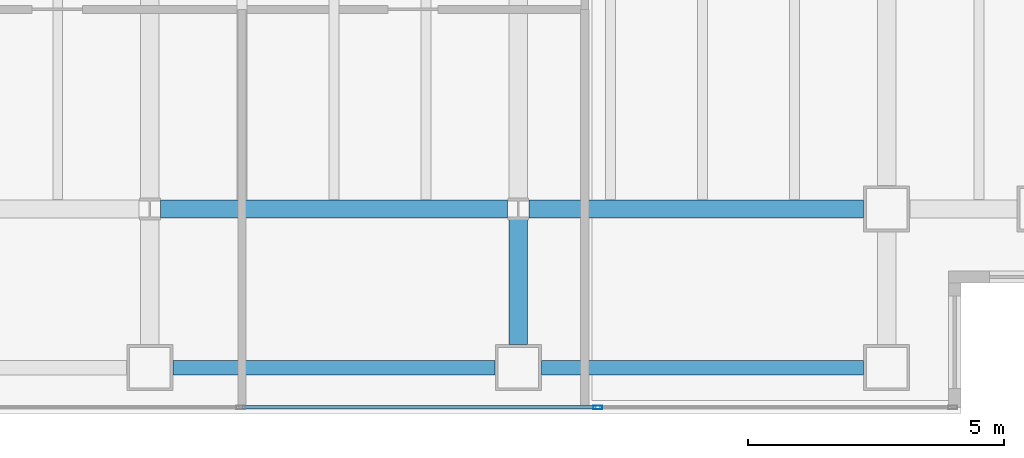
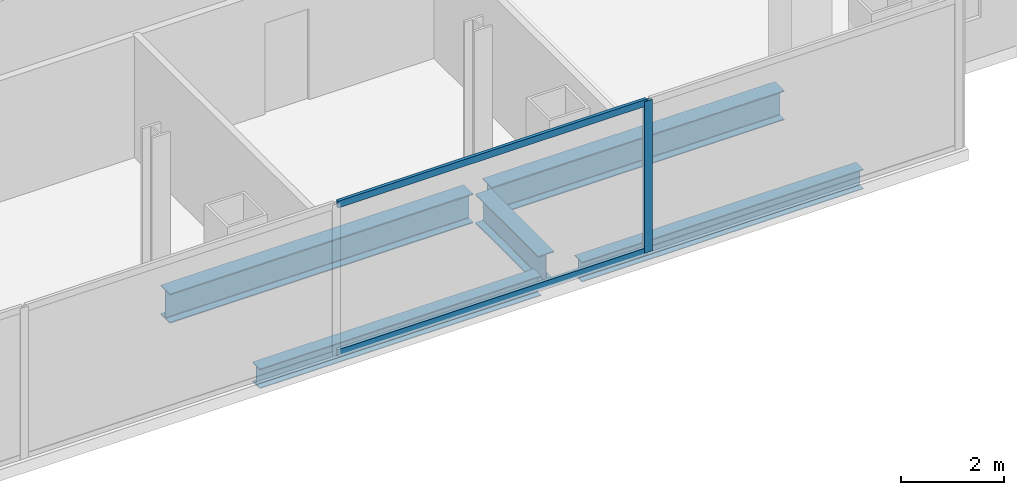
# One storey, part 9 of 23: 5 beams, 3 members, 1 element without a shape of its own.
"""IFC4 building model written with IfcOpenShell, lengths in metres."""

from ifc_helpers import new_model, si_unit, direction, frame, origin, origin_2d, place, context, subcontext, project, spatial, hollow_rectangle, i_section, extrude, material, material_profile, profile_set, type_object, element, aggregate, save


model = new_model("IFC4")

# Units and contexts
model_context = context("Model", 3, precision=1e-05, world=origin(), true_north=direction((0.0, 1.0)))
body_context = subcontext(model_context, "Body", "Model", "MODEL_VIEW")
ifc_project = project(units=[si_unit("LENGTHUNIT", "METRE"), si_unit("AREAUNIT", "SQUARE_METRE"), si_unit("VOLUMEUNIT", "CUBIC_METRE"), si_unit("PLANEANGLEUNIT", "RADIAN"), si_unit("MASSUNIT", "GRAM", prefix="KILO")], contexts=[model_context])

# Site, building, storey
site_placement = place(None, origin())
site = spatial("IfcSite", under=ifc_project, at=site_placement, CompositionType="ELEMENT")
building_placement = place(site_placement, origin())
building = spatial("IfcBuilding", under=site, at=building_placement, Name="Cobrela Telecom Tower", CompositionType="ELEMENT")
storey_placement = place(building_placement, frame((0.0, 0.0, 129.14990234375)))
storey = spatial("IfcBuildingStorey", under=building, at=storey_placement, Name="L32", CompositionType="ELEMENT", Elevation=129.14990234375)

# Beams
ifc_material_1 = material(Name="Steel ASTM A992 Grade 50", Category="steel")
ifc_material_profile_1 = material_profile(ifc_material_1, i_section(OverallWidth=0.35595703125, OverallDepth=0.696044921875, WebThickness=0.015380859375, FlangeThickness=0.024658203125, FilletRadius=0.01806640625, at=origin_2d()), Name="W27X146")
ifc_profile_set_1 = profile_set([ifc_material_profile_1], Name="Steel ASTM A992 Grade 50")
beam_type_1 = type_object("IfcBeamType", Name="BM-GIRD-05", PredefinedType="USERDEFINED", material=ifc_profile_set_1)
beam_1_placement = place(storey_placement, frame((29.009521484375, 7.199951171875, -0.617919921875), z_axis=(1.0, 0.0, 0.0), x_axis=(0.0, 1.0, 0.0)))
element("IfcBeam", 1, at=beam_1_placement, inside=storey, type_object=beam_type_1, Name="L32 Primary Girder X10", ObjectType="GIRDER", PredefinedType="USERDEFINED", context=body_context, shape_type="SweptSolid", body=[
    extrude(i_section(OverallWidth=0.35595703125, OverallDepth=0.696044921875, WebThickness=0.015380859375, FlangeThickness=0.024658203125, FilletRadius=0.01806640625, at=origin_2d()), origin(), (0.0, 0.0, 1.0), 6.781005859375),
])
beam_2_placement = place(storey_placement, frame((36.20947265625, 7.199951171875, -0.617919921875), z_axis=(1.0, 0.0, 0.0), x_axis=(0.0, 1.0, 0.0)))
element("IfcBeam", 2, at=beam_2_placement, inside=storey, type_object=beam_type_1, Name="L32 Primary Girder X11", ObjectType="GIRDER", PredefinedType="USERDEFINED", context=body_context, shape_type="SweptSolid", body=[
    extrude(i_section(OverallWidth=0.35595703125, OverallDepth=0.696044921875, WebThickness=0.015380859375, FlangeThickness=0.024658203125, FilletRadius=0.01806640625, at=origin_2d()), origin(), (0.0, 0.0, 1.0), 6.53564453125),
])
beam_3_placement = place(storey_placement, frame((36.0, 4.554931640625, -0.617919921875), z_axis=(0.0, 1.0, 0.0), x_axis=(-1.0, 0.0, 0.0)))
element("IfcBeam", 3, at=beam_3_placement, inside=storey, type_object=beam_type_1, Name="L32 Primary Girder Y49", ObjectType="GIRDER", PredefinedType="USERDEFINED", context=body_context, shape_type="SweptSolid", body=[
    extrude(i_section(OverallWidth=0.35595703125, OverallDepth=0.696044921875, WebThickness=0.015380859375, FlangeThickness=0.024658203125, FilletRadius=0.01806640625, at=origin_2d()), origin(), (0.0, 0.0, 1.0), 2.435546875),
])
ifc_material_profile_2 = material_profile(ifc_material_1, i_section(OverallWidth=0.281982421875, OverallDepth=0.467041015625, WebThickness=0.01220703125, FlangeThickness=0.01953125, FilletRadius=0.012939453125, at=origin_2d()), Name="W18X86")
ifc_profile_set_2 = profile_set([ifc_material_profile_2], Name="Steel ASTM A992 Grade 50")
beam_type_2 = type_object("IfcBeamType", Name="BM-SPAND-04", PredefinedType="SPANDREL", material=ifc_profile_set_2)
for number, where, z_axis, x_axis, name in (
    (4, (29.2548828125, 4.10009765625, -0.50341796875), (1.0, 0.0, 0.0), (0.0, 1.0, 0.0), "L32 Perimeter Spandrel X04"),
    (5, (36.455078125, 4.10009765625, -0.50341796875), (1.0, 0.0, 0.0), (0.0, 1.0, 0.0), "L32 Perimeter Spandrel X05"),
):
    element("IfcBeam", number, at=place(storey_placement, frame(where, z_axis=z_axis, x_axis=x_axis)), inside=storey, type_object=beam_type_2, Name=name, PredefinedType="SPANDREL", context=body_context, shape_type="SweptSolid", body=[
        extrude(i_section(OverallWidth=0.281982421875, OverallDepth=0.467041015625, WebThickness=0.01220703125, FlangeThickness=0.01953125, FilletRadius=0.012939453125, at=origin_2d()), origin(), (0.0, 0.0, 1.0), 6.2900390625),
    ])

# Curtain wall, members
ifc_material_2 = material(Name="Anodized Bronze Aluminium 6063-T6", Category="aluminium")
curtain_wall_type = type_object("IfcCurtainWallType", Name="CW-SYS-TEL", PredefinedType="USERDEFINED", material=ifc_material_2)
curtain_wall_placement = place(storey_placement, origin())
curtain_wall = element("IfcCurtainWall", 6, at=curtain_wall_placement, inside=storey, type_object=curtain_wall_type, Name="L32 Unitised Bronze Curtain Wall 17", ObjectType="UNITISED CURTAIN WALL", PredefinedType="USERDEFINED")
ifc_material_profile_3 = material_profile(ifc_material_2, hollow_rectangle(XDim=0.074951171875, YDim=0.179931640625, WallThickness=0.00390625, at=origin_2d()), Name="ALU 75x180x4")
ifc_profile_set_3 = profile_set([ifc_material_profile_3], Name="Anodized Bronze Aluminium 6063-T6")
member_type_1 = type_object("IfcMemberType", Name="CW-SYS-TEL-MUL", PredefinedType="MULLION", material=ifc_profile_set_3)
member_1_placement = place(storey_placement, frame((37.55322265625, 3.320068359375, 0.0), z_axis=(0.0, 0.0, 1.0), x_axis=(0.0, -1.0, 0.0)))
member_1 = element("IfcMember", 7, at=member_1_placement, type_object=member_type_1, Name="CW-TEL mullion 2", PredefinedType="MULLION", context=body_context, shape_type="SweptSolid", body=[
    extrude(hollow_rectangle(XDim=0.074951171875, YDim=0.179931640625, WallThickness=0.00390625, at=origin_2d()), origin(), (0.0, 0.0, 1.0), 3.580078125),
])
ifc_material_profile_4 = material_profile(ifc_material_2, hollow_rectangle(XDim=0.070068359375, YDim=0.159912109375, WallThickness=0.00390625, at=origin_2d()), Name="ALU 70x160x4")
ifc_profile_set_4 = profile_set([ifc_material_profile_4], Name="Anodized Bronze Aluminium 6063-T6")
member_type_2 = type_object("IfcMemberType", Name="CW-SYS-TEL-TRN", PredefinedType="USERDEFINED", material=ifc_profile_set_4)
member_2_placement = place(storey_placement, frame((37.515869140625, 3.320068359375, 0.03515625), z_axis=(-1.0, 0.0, 0.0), x_axis=(0.0, -1.0, 0.0)))
member_2 = element("IfcMember", 8, at=member_2_placement, type_object=member_type_2, Name="CW-TEL transom 2.1", ObjectType="TRANSOM", PredefinedType="USERDEFINED", context=body_context, shape_type="SweptSolid", body=[
    extrude(hollow_rectangle(XDim=0.070068359375, YDim=0.159912109375, WallThickness=0.00390625, at=origin_2d()), origin(), (0.0, 0.0, 1.0), 6.901611328125),
])
member_3_placement = place(storey_placement, frame((37.515869140625, 3.320068359375, 3.545166015625), z_axis=(-1.0, 0.0, 0.0), x_axis=(0.0, -1.0, 0.0)))
member_3 = element("IfcMember", 9, at=member_3_placement, type_object=member_type_2, Name="CW-TEL transom 2.2", ObjectType="TRANSOM", PredefinedType="USERDEFINED", context=body_context, shape_type="SweptSolid", body=[
    extrude(hollow_rectangle(XDim=0.070068359375, YDim=0.159912109375, WallThickness=0.00390625, at=origin_2d()), origin(), (0.0, 0.0, 1.0), 6.901611328125),
])
aggregate(curtain_wall, [member_1, member_2, member_3])

save(model, "model.ifc")
